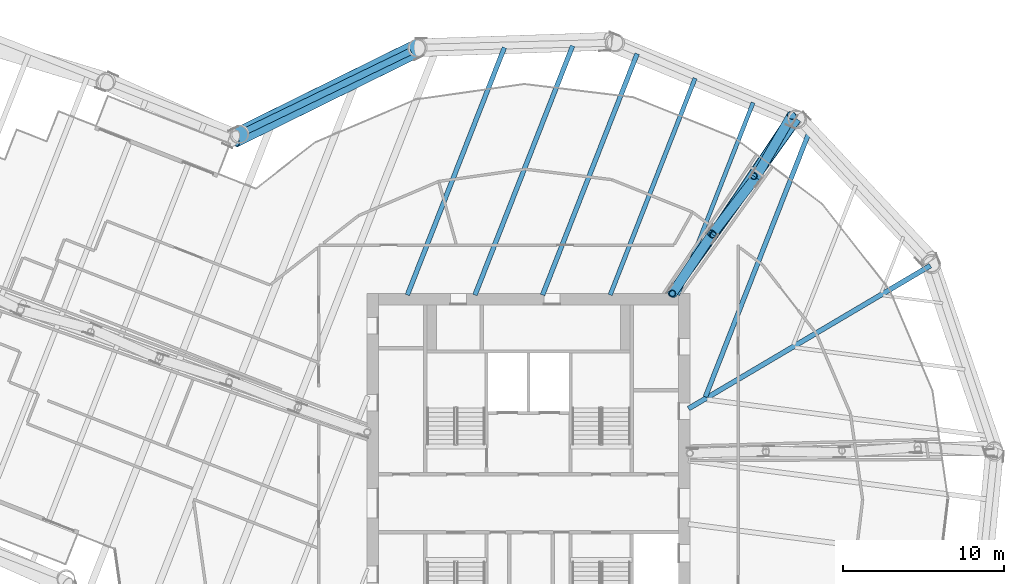
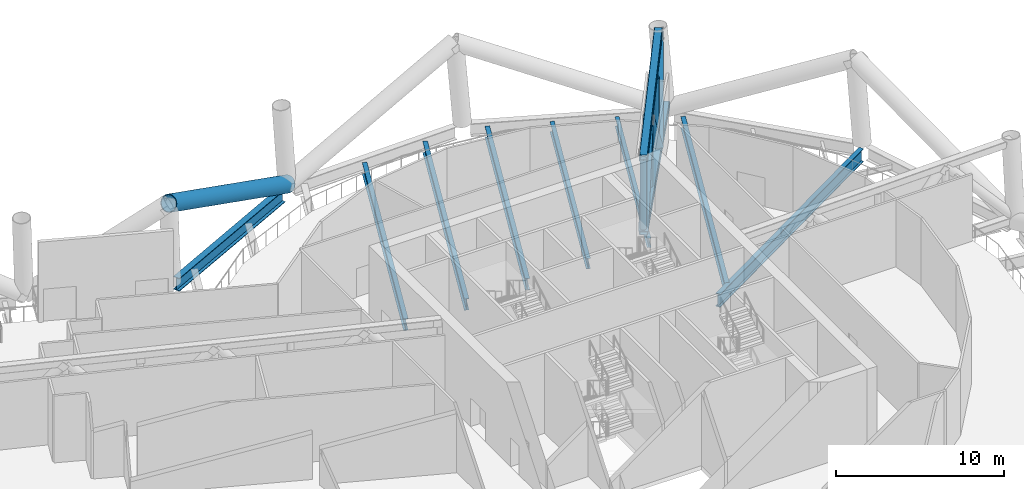
# One storey, part 9 of 36: 9 members, 8 beams.
"""IFC4 building model written with IfcOpenShell, lengths in metres."""

from ifc_helpers import new_model, si_unit, direction, frame, origin, origin_2d, place, context, subcontext, project, spatial, hollow_rectangle, hollow_circle, i_section, extrude, material, material_profile, profile_set, type_object, element, save


model = new_model("IFC4")

# Units and contexts
model_context = context("Model", 3, precision=1e-05, world=origin(), true_north=direction((0.0, 1.0)))
body_context = subcontext(model_context, "Body", "Model", "MODEL_VIEW")
ifc_project = project(units=[si_unit("LENGTHUNIT", "METRE"), si_unit("AREAUNIT", "SQUARE_METRE"), si_unit("VOLUMEUNIT", "CUBIC_METRE"), si_unit("PLANEANGLEUNIT", "RADIAN"), si_unit("MASSUNIT", "GRAM", prefix="KILO")], contexts=[model_context])

# Site, building, storey
site_placement = place(None, origin())
site = spatial("IfcSite", under=ifc_project, at=site_placement, CompositionType="ELEMENT")
building_placement = place(site_placement, origin())
building = spatial("IfcBuilding", under=site, at=building_placement, Name="Tarsis Ring Headquarters", CompositionType="ELEMENT")
storey_placement = place(building_placement, frame((0.0, 0.0, 194.39990234375)))
storey = spatial("IfcBuildingStorey", under=building, at=storey_placement, Name="L45", CompositionType="ELEMENT", Elevation=194.39990234375)

# Beams
ifc_material = material(Name="Structural steel S355", Category="steel")
ifc_material_profile_1 = material_profile(ifc_material, i_section(OverallWidth=0.2529296875, OverallDepth=0.67822265625, WebThickness=0.01171875, FlangeThickness=0.016357421875, at=origin_2d()), Name="W27x84")
ifc_profile_set_1 = profile_set([ifc_material_profile_1], Name="Structural steel S355")
beam_type_1 = type_object("IfcBeamType", Name="FB Floor beam W27x84", PredefinedType="JOIST", material=ifc_profile_set_1)
beam_1_placement = place(storey_placement, frame((13.917724609375, 24.8251953125, -0.638916015625), z_axis=(-0.364873922406, -0.931056937436, 0.0), x_axis=(0.931056937436, -0.364873922406, 0.0)))
element("IfcBeam", 1, at=beam_1_placement, inside=storey, type_object=beam_type_1, Name="Floor beam FB5", PredefinedType="JOIST", context=body_context, shape_type="SweptSolid", body=[
    extrude(i_section(OverallWidth=0.2529296875, OverallDepth=0.67822265625, WebThickness=0.01171875, FlangeThickness=0.016357421875, at=origin_2d()), origin(), (0.0, 0.0, 1.0), 12.80078125),
])
ifc_material_profile_2 = material_profile(ifc_material, i_section(OverallWidth=0.2666015625, OverallDepth=0.7568359375, WebThickness=0.013916015625, FlangeThickness=0.019287109375, at=origin_2d()), Name="W30x108")
ifc_profile_set_2 = profile_set([ifc_material_profile_2], Name="Structural steel S355")
beam_type_2 = type_object("IfcBeamType", Name="FB Floor beam W30x108", PredefinedType="JOIST", material=ifc_profile_set_2)
beam_2_placement = place(storey_placement, frame((10.323486328125, 26.34228515625, -0.678466796875), z_axis=(-0.364885392323, -0.931052442384, 0.0), x_axis=(0.931052442384, -0.364885392323, 0.0)))
element("IfcBeam", 2, at=beam_2_placement, inside=storey, type_object=beam_type_2, Name="Floor beam FB6", PredefinedType="JOIST", context=body_context, shape_type="SweptSolid", body=[
    extrude(i_section(OverallWidth=0.2666015625, OverallDepth=0.7568359375, WebThickness=0.013916015625, FlangeThickness=0.019287109375, at=origin_2d()), origin(), (0.0, 0.0, 1.0), 14.43017578125),
])
ifc_material_profile_3 = material_profile(ifc_material, i_section(OverallWidth=0.2919921875, OverallDepth=0.835693359375, WebThickness=0.013916015625, FlangeThickness=0.018798828125, at=origin_2d()), Name="W33x118")
ifc_profile_set_3 = profile_set([ifc_material_profile_3], Name="Structural steel S355")
beam_type_3 = type_object("IfcBeamType", Name="FB Floor beam W33x118", PredefinedType="JOIST", material=ifc_profile_set_3)
beam_3_placement = place(storey_placement, frame((17.345947265625, 22.884521484375, -0.7177734375), z_axis=(-0.364870594004, -0.931058241804, 0.0), x_axis=(0.931058241804, -0.364870594004, 0.0)))
element("IfcBeam", 3, at=beam_3_placement, inside=storey, type_object=beam_type_3, Name="Floor beam FB7", PredefinedType="JOIST", context=body_context, shape_type="SweptSolid", body=[
    extrude(i_section(OverallWidth=0.2919921875, OverallDepth=0.835693359375, WebThickness=0.013916015625, FlangeThickness=0.018798828125, at=origin_2d()), origin(), (0.0, 0.0, 1.0), 17.500732421875),
])
beam_4_placement = place(storey_placement, frame((6.729248046875, 27.859619140625, -0.7177734375), z_axis=(-0.364876192124, -0.931056047948, 0.0), x_axis=(0.931056047948, -0.364876192124, 0.0)))
element("IfcBeam", 4, at=beam_4_placement, inside=storey, type_object=beam_type_3, Name="Floor beam FB7", PredefinedType="JOIST", context=body_context, shape_type="SweptSolid", body=[
    extrude(i_section(OverallWidth=0.2919921875, OverallDepth=0.835693359375, WebThickness=0.013916015625, FlangeThickness=0.018798828125, at=origin_2d()), origin(), (0.0, 0.0, 1.0), 16.059814453125),
])
beam_5_placement = place(storey_placement, frame((2.734375, 28.354248046875, -0.7177734375), z_axis=(-0.364876457051, -0.931055944125, 0.0), x_axis=(0.931055944125, -0.364876457051, 0.0)))
element("IfcBeam", 5, at=beam_5_placement, inside=storey, type_object=beam_type_3, Name="Floor beam FB7", PredefinedType="JOIST", context=body_context, shape_type="SweptSolid", body=[
    extrude(i_section(OverallWidth=0.2919921875, OverallDepth=0.835693359375, WebThickness=0.013916015625, FlangeThickness=0.018798828125, at=origin_2d()), origin(), (0.0, 0.0, 1.0), 16.591064453125),
])
beam_6_placement = place(storey_placement, frame((-1.49658203125, 28.24658203125, -0.7177734375), z_axis=(-0.364887065253, -0.93105178675, 0.0), x_axis=(0.93105178675, -0.364887065253, 0.0)))
element("IfcBeam", 6, at=beam_6_placement, inside=storey, type_object=beam_type_3, Name="Floor beam FB7", PredefinedType="JOIST", context=body_context, shape_type="SweptSolid", body=[
    extrude(i_section(OverallWidth=0.2919921875, OverallDepth=0.835693359375, WebThickness=0.013916015625, FlangeThickness=0.018798828125, at=origin_2d()), origin(), (0.0, 0.0, 1.0), 16.4755859375),
])
ifc_material_profile_4 = material_profile(ifc_material, i_section(OverallWidth=0.309814453125, OverallDepth=0.949951171875, WebThickness=0.0244140625, FlangeThickness=0.0439453125, at=origin_2d()), Name="W36x256")
ifc_profile_set_4 = profile_set([ifc_material_profile_4], Name="Structural steel S355")
beam_type_4 = type_object("IfcBeamType", Name="FB Floor beam W36x256 spine", PredefinedType="BEAM", material=ifc_profile_set_4)
beam_7_placement = place(storey_placement, frame((24.902587890625, 14.727294921875, -0.77490234375), z_axis=(-0.86074393367, -0.50903819174, 0.0), x_axis=(0.50903819174, -0.86074393367, 0.0)))
element("IfcBeam", 7, at=beam_7_placement, inside=storey, type_object=beam_type_4, Name="Floor beam SB11", PredefinedType="BEAM", context=body_context, shape_type="SweptSolid", body=[
    extrude(i_section(OverallWidth=0.309814453125, OverallDepth=0.949951171875, WebThickness=0.0244140625, FlangeThickness=0.0439453125, at=origin_2d()), origin(), (0.0, 0.0, 1.0), 17.413818359375),
])

# Members
ifc_material_profile_5 = material_profile(ifc_material, hollow_rectangle(XDim=0.508056640625, YDim=0.508056640625, WallThickness=0.025390625, InnerFilletRadius=0.025390625, OuterFilletRadius=0.05078125, at=origin_2d()), Name="HSS 508x508x25")
ifc_profile_set_5 = profile_set([ifc_material_profile_5], Name="Structural steel S355")
member_type_1 = type_object("IfcMemberType", Name="OC Outrigger chord HSS 508x508x25", PredefinedType="CHORD", material=ifc_profile_set_5)
member_1_placement = place(storey_placement, frame((8.908447265625, 13.0, 0.254150390625), z_axis=(0.583867668992, 0.811848843755, 0.0), x_axis=(-0.811848843755, 0.583867668992, 0.0)))
element("IfcMember", 8, at=member_1_placement, inside=storey, type_object=member_type_1, Name="Outrigger chord OC1", PredefinedType="CHORD", context=body_context, shape_type="SweptSolid", body=[
    extrude(hollow_rectangle(XDim=0.508056640625, YDim=0.508056640625, WallThickness=0.025390625, InnerFilletRadius=0.025390625, OuterFilletRadius=0.05078125, at=origin_2d()), origin(), (0.0, 0.0, 1.0), 13.290771484375),
])
member_2_placement = place(storey_placement, frame((8.908447265625, 13.0, 5.586181640625), z_axis=(0.557131328799, 0.83042439901, 0.0), x_axis=(-0.83042439901, 0.557131328799, 0.0)))
element("IfcMember", 9, at=member_2_placement, inside=storey, type_object=member_type_1, Name="Outrigger chord OC1", PredefinedType="CHORD", context=body_context, shape_type="SweptSolid", body=[
    extrude(hollow_rectangle(XDim=0.508056640625, YDim=0.508056640625, WallThickness=0.025390625, InnerFilletRadius=0.025390625, OuterFilletRadius=0.05078125, at=origin_2d()), origin(), (0.0, 0.0, 1.0), 13.2890625),
])
ifc_material_profile_6 = material_profile(ifc_material, hollow_circle(Radius=0.3046875, WallThickness=0.02490234375, at=origin_2d()), Name="CHS 610x25")
ifc_profile_set_6 = profile_set([ifc_material_profile_6], Name="Structural steel S355")
member_type_2 = type_object("IfcMemberType", Name="OD Outrigger diagonal CHS 610x25", PredefinedType="BRACE", material=ifc_profile_set_6)
member_3_placement = place(storey_placement, frame((8.908447265625, 13.0, 0.254150390625), z_axis=(0.356031941446, 0.530649249359, 0.769189593549), x_axis=(-0.830410196637, 0.557152497366, 0.0)))
element("IfcMember", 10, at=member_3_placement, inside=storey, type_object=member_type_2, Name="Outrigger diagonal OD1", PredefinedType="BRACE", context=body_context, shape_type="SweptSolid", body=[
    extrude(hollow_circle(Radius=0.3046875, WallThickness=0.02490234375, at=origin_2d()), origin(), (0.0, 0.0, 1.0), 6.93212890625),
])
member_4_placement = place(storey_placement, frame((11.37646484375, 16.678466796875, 5.586181640625), z_axis=(0.390058129651, 0.506783403356, -0.768781657935), x_axis=(-0.792454123065, 0.609931523073, 0.0)))
element("IfcMember", 11, at=member_4_placement, inside=storey, type_object=member_type_2, Name="Outrigger diagonal OD1", PredefinedType="BRACE", context=body_context, shape_type="SweptSolid", body=[
    extrude(hollow_circle(Radius=0.3046875, WallThickness=0.02490234375, at=origin_2d()), origin(), (0.0, 0.0, 1.0), 6.935791015625),
])
member_5_placement = place(storey_placement, frame((14.081787109375, 20.193359375, 0.254150390625), z_axis=(0.321376165909, 0.553614065136, 0.768263513951), x_axis=(-0.864841285701, 0.50204536702, 0.0)))
element("IfcMember", 12, at=member_5_placement, inside=storey, type_object=member_type_2, Name="Outrigger diagonal OD1", PredefinedType="BRACE", context=body_context, shape_type="SweptSolid", body=[
    extrude(hollow_circle(Radius=0.3046875, WallThickness=0.02490234375, at=origin_2d()), origin(), (0.0, 0.0, 1.0), 6.9404296875),
])
ifc_material_profile_7 = material_profile(ifc_material, hollow_circle(Radius=0.203125, WallThickness=0.01611328125, at=origin_2d()), Name="CHS 406x16")
ifc_profile_set_7 = profile_set([ifc_material_profile_7], Name="Structural steel S355")
member_type_3 = type_object("IfcMemberType", Name="OV Outrigger post CHS 406x16", PredefinedType="STRUT", material=ifc_profile_set_7)
member_6_placement = place(storey_placement, frame((8.908447265625, 13.0, 0.508056640625), z_axis=(0.0, 0.0, 1.0), x_axis=(1.0, 0.0, 0.0)))
element("IfcMember", 13, at=member_6_placement, inside=storey, type_object=member_type_3, Name="Outrigger post OV1", PredefinedType="STRUT", context=body_context, shape_type="SweptSolid", body=[
    extrude(hollow_circle(Radius=0.203125, WallThickness=0.01611328125, at=origin_2d()), origin(), (0.0, 0.0, 1.0), 5.078125),
])
for number, where, z_axis, x_axis, name in (
    (14, (11.435791015625, 16.6376953125, 0.508056640625), (0.0, 0.0, 1.0), (1.0, 0.0, 0.0), "Outrigger post OV1"),
    (15, (13.963134765625, 20.275146484375, 0.508056640625), (0.0, 0.0, 1.0), (1.0, 0.0, 0.0), "Outrigger post OV1"),
):
    element("IfcMember", number, at=place(storey_placement, frame(where, z_axis=z_axis, x_axis=x_axis)), inside=storey, type_object=member_type_3, Name=name, PredefinedType="STRUT", context=body_context, shape_type="SweptSolid", body=[
        extrude(hollow_circle(Radius=0.203125, WallThickness=0.01611328125, at=origin_2d()), origin(), (0.0, 0.0, 1.0), 4.823974609375),
    ])
ifc_material_profile_8 = material_profile(ifc_material, hollow_circle(Radius=0.558837890625, WallThickness=0.044921875, at=origin_2d()), Name="CHS 1118x45")
ifc_profile_set_8 = profile_set([ifc_material_profile_8], Name="Structural steel S355")
member_type_4 = type_object("IfcMemberType", Name="TD Belt truss diagonal CHS 1118x45", PredefinedType="BRACE", material=ifc_profile_set_8)
member_7_placement = place(storey_placement, frame((-6.843994140625, 28.230712890625, 0.0), z_axis=(-0.811007199583, -0.400453460806, 0.426502459492), x_axis=(0.442741272575, -0.896649410616, 0.0)))
element("IfcMember", 16, at=member_7_placement, inside=storey, type_object=member_type_4, Name="Belt truss diagonal TD4", PredefinedType="BRACE", context=body_context, shape_type="SweptSolid", body=[
    extrude(hollow_circle(Radius=0.558837890625, WallThickness=0.044921875, at=origin_2d()), origin(), (0.0, 0.0, 1.0), 14.06787109375),
])

# Beam
ifc_material_profile_9 = material_profile(ifc_material, i_section(OverallWidth=0.42431640625, OverallDepth=0.947509765625, WebThickness=0.02392578125, FlangeThickness=0.042724609375, at=origin_2d()), Name="W36x302")
ifc_profile_set_9 = profile_set([ifc_material_profile_9], Name="Structural steel S355")
beam_type_5 = type_object("IfcBeamType", Name="XG Ring girder W36x302", PredefinedType="BEAM", material=ifc_profile_set_9)
beam_8_placement = place(storey_placement, frame((-7.296875, 28.011962890625, -0.4736328125), z_axis=(-0.900327539865, -0.435212960468, 0.0), x_axis=(0.435212960468, -0.900327539865, 0.0)))
element("IfcBeam", 17, at=beam_8_placement, inside=storey, type_object=beam_type_5, Name="Ring girder XG1", PredefinedType="BEAM", context=body_context, shape_type="SweptSolid", body=[
    extrude(i_section(OverallWidth=0.42431640625, OverallDepth=0.947509765625, WebThickness=0.02392578125, FlangeThickness=0.042724609375, at=origin_2d()), origin(), (0.0, 0.0, 1.0), 11.242919921875),
])

save(model, "model.ifc")
